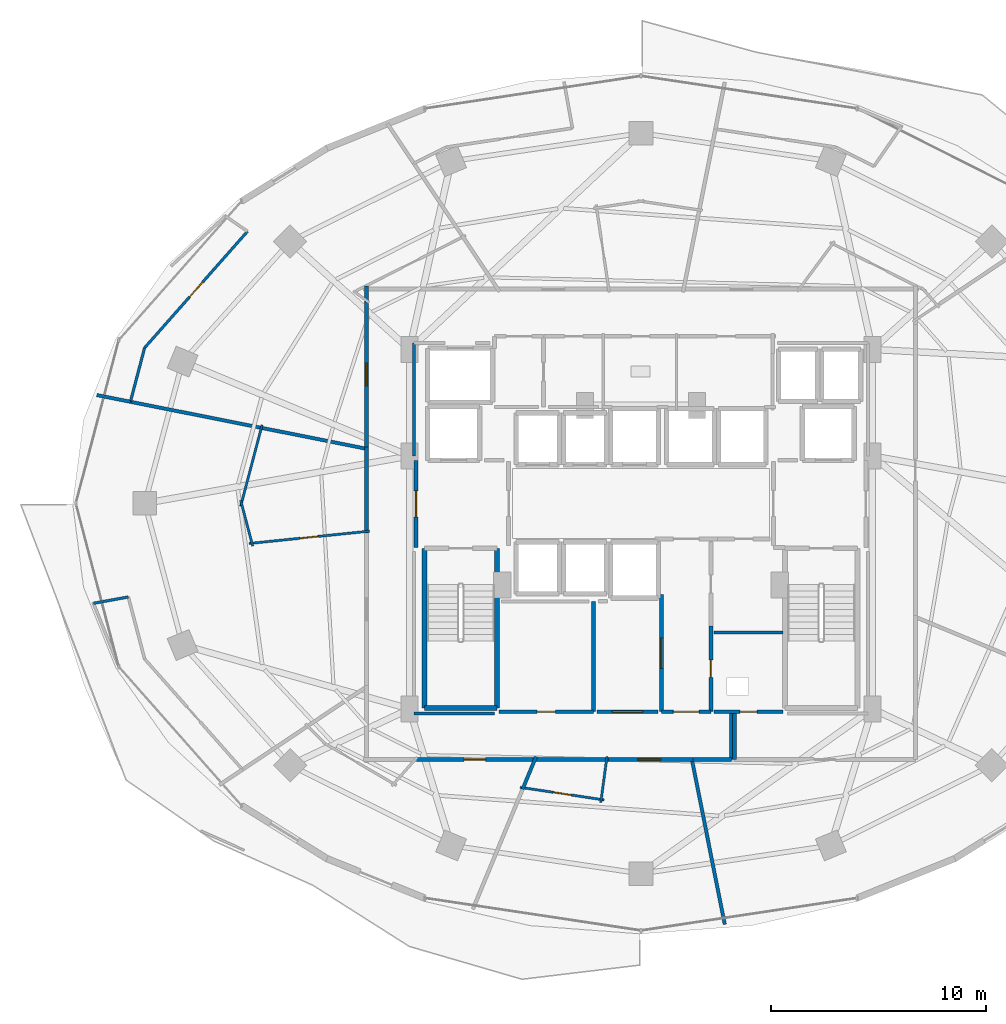
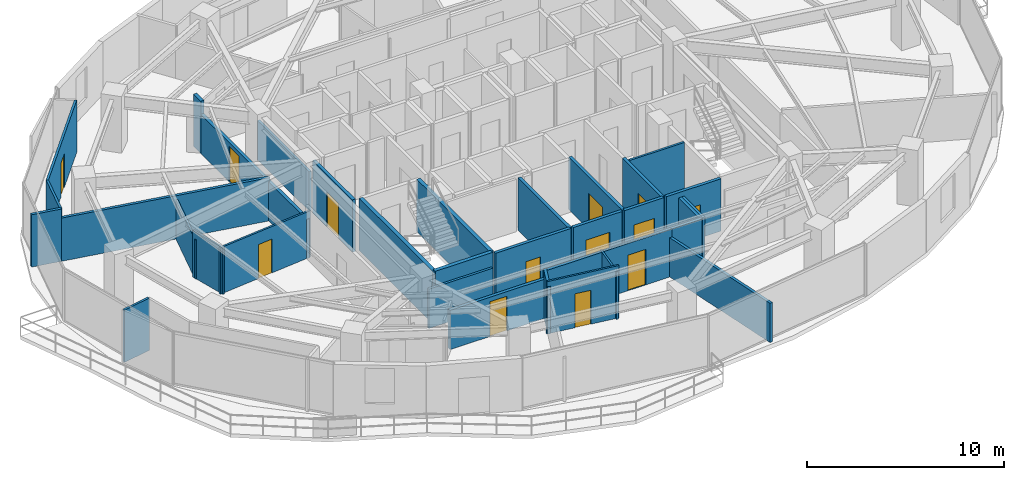
# One storey, part 22 of 29: 35 walls, 13 doors, 13 openings.
"""IFC4 building model written with IfcOpenShell, lengths in metres."""

from ifc_helpers import new_model, si_unit, direction, frame, frame_2d, origin, place, context, subcontext, project, spatial, rectangle, extrude, material, layer, layer_set, type_object, element, fill, save


model = new_model("IFC4")

# Units and contexts
model_context = context("Model", 3, precision=1e-05, world=origin(), true_north=direction((0.0, 1.0)))
body_context = subcontext(model_context, "Body", "Model", "MODEL_VIEW")
ifc_project = project(units=[si_unit("LENGTHUNIT", "METRE"), si_unit("AREAUNIT", "SQUARE_METRE"), si_unit("VOLUMEUNIT", "CUBIC_METRE"), si_unit("PLANEANGLEUNIT", "RADIAN"), si_unit("MASSUNIT", "GRAM", prefix="KILO")], contexts=[model_context])

# Site, building, storey
site_placement = place(None, origin())
site = spatial("IfcSite", under=ifc_project, at=site_placement, CompositionType="ELEMENT")
building_placement = place(site_placement, origin())
building = spatial("IfcBuilding", under=site, at=building_placement, Name="Vorneva Point Tower", CompositionType="ELEMENT")
storey_placement = place(building_placement, frame((0.0, 0.0, 82.300048828125)))
storey = spatial("IfcBuildingStorey", under=building, at=storey_placement, Name="L21", CompositionType="ELEMENT", Elevation=82.300048828125)

# Wall, opening, door
ifc_material_1 = material(Name="Fire-rated acoustic gypsum stud partition", Category="gypsum")
ifc_layer_1 = layer(ifc_material_1, 0.110107421875)
ifc_layer_set_1 = layer_set([ifc_layer_1], Name="Fire-rated acoustic gypsum stud partition")
wall_type_1 = type_object("IfcWallType", Name="WL-PART-110", PredefinedType="PARTITIONING", material=ifc_layer_set_1)
wall_1_placement = place(storey_placement, frame((25.389404296875, 24.708251953125, 0.0), z_axis=(0.0, 0.0, 1.0), x_axis=(-0.994782905304, -0.102014564227, 0.0)))
wall_1 = element("IfcWall", 1, at=wall_1_placement, inside=storey, type_object=wall_type_1, Name="L21 Interior Partition 076", PredefinedType="PARTITIONING", context=body_context, shape_type="SweptSolid", body=[
    extrude(rectangle(XDim=5.631103515625, YDim=0.110107421875, at=frame_2d((2.8154296875, 0.0))), origin(), (0.0, 0.0, 1.0), 2.8740234375),
])
opening_1_placement = place(wall_1_placement, frame((2.390380859375, 0.0, 0.0)))
opening_1 = element("IfcOpeningElement", 2, at=opening_1_placement, cuts=wall_1, Name="Opening ID-02", PredefinedType="OPENING", context=body_context, shape_type="SweptSolid", body=[
    extrude(rectangle(XDim=0.85009765625, YDim=2.10009765625, at=frame_2d((0.425048828125, 1.050048828125))), frame((0.0, 0.06982421875, 0.0), z_axis=(0.0, -1.0, 0.0), x_axis=(1.0, 0.0, 0.0)), (0.0, 0.0, 1.0), 0.139892578125),
])
ifc_material_2 = material(Name="Engineered oak fire-rated door leaf", Category="wood")
door_type_1 = type_object("IfcDoorType", Name="DR-BATH-850", OperationType="NOTDEFINED", PredefinedType="DOOR", material=ifc_material_2)
door_1_placement = place(opening_1_placement, origin())
door_1 = element("IfcDoor", 3, at=door_1_placement, inside=storey, type_object=door_type_1, Name="L21 Door Corner Suite L21-04 / En-Suite Bathroom L21-04", OperationType="SINGLE_SWING_LEFT", OverallHeight=2.10009765625, OverallWidth=0.85009765625, PredefinedType="DOOR", context=body_context, shape_type="SweptSolid", body=[
    extrude(rectangle(XDim=0.85009765625, YDim=2.10009765625, at=frame_2d((0.425048828125, 1.050048828125))), frame((0.0, 0.02490234375, 0.0), z_axis=(0.0, -1.0, 0.0), x_axis=(1.0, 0.0, 0.0)), (0.0, 0.0, 1.0), 0.050048828125),
])
fill(opening_1, door_1)

# Walls
wall_2_placement = place(storey_placement, frame((19.962646484375, 24.0126953125, 0.0), z_axis=(0.0, 0.0, 1.0), x_axis=(-0.254372850976, 0.967106226165, 0.0)))
element("IfcWall", 4, at=wall_2_placement, inside=storey, type_object=wall_type_1, Name="L21 Interior Partition 077", PredefinedType="PARTITIONING", context=body_context, shape_type="SweptSolid", body=[
    extrude(rectangle(XDim=2.195068359375, YDim=0.110107421875, at=frame_2d((1.09765625, 0.0))), origin(), (0.0, 0.0, 1.0), 2.8740234375),
])
wall_3_placement = place(storey_placement, frame((19.404296875, 25.864501953125, 0.0), z_axis=(0.0, 0.0, 1.0), x_axis=(0.254484072837, 0.967076965227, 0.0)))
element("IfcWall", 5, at=wall_3_placement, inside=storey, type_object=wall_type_1, Name="L21 Interior Partition 078", PredefinedType="PARTITIONING", context=body_context, shape_type="SweptSolid", body=[
    extrude(rectangle(XDim=3.907470703125, YDim=0.110107421875, at=frame_2d((1.95361328125, 0.0))), origin(), (0.0, 0.0, 1.0), 2.431884765625),
])
wall_4_placement = place(storey_placement, frame((36.420654296875, 14.23876953125, 0.0), z_axis=(0.0, 0.0, 1.0), x_axis=(-0.133358508544, -0.99106786256, 0.0)))
element("IfcWall", 6, at=wall_4_placement, inside=storey, type_object=wall_type_1, Name="L21 Interior Partition 090", PredefinedType="PARTITIONING", context=body_context, shape_type="SweptSolid", body=[
    extrude(rectangle(XDim=2.15478515625, YDim=0.110107421875, at=frame_2d((1.077392578125, 0.0))), origin(), (0.0, 0.0, 1.0), 2.921875),
])

# Wall, opening, door
wall_5_placement = place(storey_placement, frame((36.290283203125, 12.22119140625, 0.0), z_axis=(0.0, 0.0, 1.0), x_axis=(-0.988883185792, 0.148694468147, 0.0)))
wall_5 = element("IfcWall", 7, at=wall_5_placement, inside=storey, type_object=wall_type_1, Name="L21 Interior Partition 091", PredefinedType="PARTITIONING", context=body_context, shape_type="SweptSolid", body=[
    extrude(rectangle(XDim=3.945556640625, YDim=0.110107421875, at=frame_2d((1.97265625, 0.0))), origin(), (0.0, 0.0, 1.0), 3.239990234375),
])
opening_2_placement = place(wall_5_placement, frame((1.5478515625, 0.0, 0.0)))
opening_2 = element("IfcOpeningElement", 8, at=opening_2_placement, cuts=wall_5, Name="Opening ID-02", PredefinedType="OPENING", context=body_context, shape_type="SweptSolid", body=[
    extrude(rectangle(XDim=0.85009765625, YDim=2.10009765625, at=frame_2d((0.425048828125, 1.050048828125))), frame((0.0, 0.06982421875, 0.0), z_axis=(0.0, -1.0, 0.0), x_axis=(1.0, 0.0, 0.0)), (0.0, 0.0, 1.0), 0.139892578125),
])
door_2_placement = place(opening_2_placement, origin())
door_2 = element("IfcDoor", 9, at=door_2_placement, inside=storey, type_object=door_type_1, Name="L21 Door Executive Suite L21-06 / En-Suite Bathroom L21-06", OperationType="SINGLE_SWING_RIGHT", OverallHeight=2.10009765625, OverallWidth=0.85009765625, PredefinedType="DOOR", context=body_context, shape_type="SweptSolid", body=[
    extrude(rectangle(XDim=0.85009765625, YDim=2.10009765625, at=frame_2d((0.425048828125, 1.050048828125))), frame((0.0, 0.02490234375, 0.0), z_axis=(0.0, -1.0, 0.0), x_axis=(1.0, 0.0, 0.0)), (0.0, 0.0, 1.0), 0.050048828125),
])
fill(opening_2, door_2)

# Wall
ifc_layer_2 = layer(ifc_material_1, 0.125)
ifc_layer_set_2 = layer_set([ifc_layer_2], Name="Fire-rated acoustic gypsum stud partition")
wall_type_2 = type_object("IfcWallType", Name="WL-PART-125", PredefinedType="PARTITIONING", material=ifc_layer_set_2)
wall_6_placement = place(storey_placement, frame((44.60009765625, 20.0, 0.0), z_axis=(0.0, 0.0, 1.0), x_axis=(-1.0, 0.0, 0.0)))
element("IfcWall", 10, at=wall_6_placement, inside=storey, type_object=wall_type_2, Name="L21 Interior Partition 015", PredefinedType="PARTITIONING", context=body_context, shape_type="SweptSolid", body=[
    extrude(rectangle(XDim=3.2001953125, YDim=0.125, at=frame_2d((1.60009765625, 0.0))), origin(), (0.0, 0.0, 1.0), 3.239990234375),
])

# Wall, opening, door
wall_7_placement = place(storey_placement, frame((19.719970703125, 38.634033203125, 0.0), z_axis=(0.0, 0.0, 1.0), x_axis=(-0.662133761628, -0.74938566954, 0.0)))
wall_7 = element("IfcWall", 11, at=wall_7_placement, inside=storey, type_object=wall_type_2, Name="L21 Interior Partition 072", PredefinedType="PARTITIONING", context=body_context, shape_type="SweptSolid", body=[
    extrude(rectangle(XDim=7.21923828125, YDim=0.125, at=frame_2d((3.609619140625, 0.0))), origin(), (0.0, 0.0, 1.0), 3.239990234375),
])
opening_3_placement = place(wall_7_placement, frame((3.15966796875, 0.0, 0.0)))
opening_3 = element("IfcOpeningElement", 12, at=opening_3_placement, cuts=wall_7, Name="Opening ID-01", PredefinedType="OPENING", context=body_context, shape_type="SweptSolid", body=[
    extrude(rectangle(XDim=0.89990234375, YDim=2.10009765625, at=frame_2d((0.449951171875, 1.050048828125))), frame((0.0, 0.077392578125, 0.0), z_axis=(0.0, -1.0, 0.0), x_axis=(1.0, 0.0, 0.0)), (0.0, 0.0, 1.0), 0.15478515625),
])
door_type_2 = type_object("IfcDoorType", Name="DR-ROOM-900", OperationType="NOTDEFINED", PredefinedType="DOOR", material=ifc_material_2)
door_3_placement = place(opening_3_placement, origin())
door_3 = element("IfcDoor", 13, at=door_3_placement, inside=storey, type_object=door_type_2, Name="L21 Door Executive Suite L21-03 / Suite Sitting Study L21-03", OperationType="SINGLE_SWING_RIGHT", OverallHeight=2.10009765625, OverallWidth=0.89990234375, PredefinedType="DOOR", context=body_context, shape_type="SweptSolid", body=[
    extrude(rectangle(XDim=0.89990234375, YDim=2.10009765625, at=frame_2d((0.449951171875, 1.050048828125))), frame((0.0, 0.02490234375, 0.0), z_axis=(0.0, -1.0, 0.0), x_axis=(1.0, 0.0, 0.0)), (0.0, 0.0, 1.0), 0.050048828125),
])
fill(opening_3, door_3)

# Walls
wall_8_placement = place(storey_placement, frame((14.93994140625, 33.22412109375, 0.0), z_axis=(0.0, 0.0, 1.0), x_axis=(-0.254289240103, -0.967128214027, 0.0)))
element("IfcWall", 14, at=wall_8_placement, inside=storey, type_object=wall_type_2, Name="L21 Interior Partition 073", PredefinedType="PARTITIONING", context=body_context, shape_type="SweptSolid", body=[
    extrude(rectangle(XDim=2.59130859375, YDim=0.125, at=frame_2d((1.295654296875, 0.0))), origin(), (0.0, 0.0, 1.0), 3.239990234375),
])
wall_9_placement = place(storey_placement, frame((12.56689453125, 21.35498046875, 0.0), z_axis=(0.0, 0.0, 1.0), x_axis=(0.983774720513, 0.179408191784, 0.0)))
element("IfcWall", 15, at=wall_9_placement, inside=storey, type_object=wall_type_2, Name="L21 Interior Partition 080", PredefinedType="PARTITIONING", context=body_context, shape_type="SweptSolid", body=[
    extrude(rectangle(XDim=1.643798828125, YDim=0.125, at=frame_2d((0.82177734375, 0.0))), origin(), (0.0, 0.0, 1.0), 3.239990234375),
])
ifc_layer_3 = layer(ifc_material_1, 0.139892578125)
ifc_layer_set_3 = layer_set([ifc_layer_3], Name="Fire-rated acoustic gypsum stud partition")
wall_type_3 = type_object("IfcWallType", Name="WL-PART-140", PredefinedType="PARTITIONING", material=ifc_layer_set_3)
wall_10_placement = place(storey_placement, frame((31.195068359375, 16.239990234375, 0.0), z_axis=(0.0, 0.0, 1.0), x_axis=(-1.0, 0.0, 0.0)))
element("IfcWall", 16, at=wall_10_placement, inside=storey, type_object=wall_type_3, Name="L21 Interior Closure Partition 108", PredefinedType="PARTITIONING", context=body_context, shape_type="SweptSolid", body=[
    extrude(rectangle(XDim=3.7451171875, YDim=0.139892578125, at=frame_2d((1.87255859375, 0.0))), origin(), (0.0, 0.0, 1.0), 2.431884765625),
])
wall_11_placement = place(storey_placement, frame((27.449951171875, 28.196044921875, 0.0), z_axis=(0.0, 0.0, 1.0), x_axis=(0.0, 1.0, 0.0)))
element("IfcWall", 17, at=wall_11_placement, inside=storey, type_object=wall_type_3, Name="L21 Interior Closure Partition 110", PredefinedType="PARTITIONING", context=body_context, shape_type="SweptSolid", body=[
    extrude(rectangle(XDim=5.25390625, YDim=0.139892578125, at=frame_2d((2.626953125, 0.0))), origin(), (0.0, 0.0, 1.0), 2.431884765625),
])
ifc_layer_4 = layer(ifc_material_1, 0.159912109375)
ifc_layer_set_4 = layer_set([ifc_layer_4], Name="Fire-rated acoustic gypsum stud partition")
wall_type_4 = type_object("IfcWallType", Name="WL-PART-160", PredefinedType="PARTITIONING", material=ifc_layer_set_4)
wall_12_placement = place(storey_placement, frame((14.281005859375, 30.718017578125, 0.0), z_axis=(0.0, 0.0, 1.0), x_axis=(0.980780826537, -0.19511271178, 0.0)))
element("IfcWall", 18, at=wall_12_placement, inside=storey, type_object=wall_type_4, Name="L21 Interior Partition 074", PredefinedType="PARTITIONING", context=body_context, shape_type="SweptSolid", body=[
    extrude(rectangle(XDim=11.183837890625, YDim=0.159912109375, at=frame_2d((5.591796875, 0.0))), origin(), (0.0, 0.0, 1.0), 2.677001953125),
])
wall_13_placement = place(storey_placement, frame((12.719970703125, 31.029052734375, 0.0), z_axis=(0.0, 0.0, 1.0), x_axis=(0.98072200318, -0.195408168916, 0.0)))
element("IfcWall", 19, at=wall_13_placement, inside=storey, type_object=wall_type_4, Name="L21 Interior Partition 075", PredefinedType="PARTITIONING", context=body_context, shape_type="SweptSolid", body=[
    extrude(rectangle(XDim=1.591796875, YDim=0.159912109375, at=frame_2d((0.7958984375, 0.0))), origin(), (0.0, 0.0, 1.0), 3.239990234375),
])
wall_14_placement = place(storey_placement, frame((32.496826171875, 12.71484375, 0.0), z_axis=(0.0, 0.0, 1.0), x_axis=(0.382891039503, 0.923793511489, 0.0)))
element("IfcWall", 20, at=wall_14_placement, inside=storey, type_object=wall_type_4, Name="L21 Interior Partition 089", PredefinedType="PARTITIONING", context=body_context, shape_type="SweptSolid", body=[
    extrude(rectangle(XDim=1.639404296875, YDim=0.159912109375, at=frame_2d((0.81982421875, 0.0))), origin(), (0.0, 0.0, 1.0), 2.921875),
])
wall_15_placement = place(storey_placement, frame((41.89111328125, 6.44091796875, 0.0), z_axis=(0.0, 0.0, 1.0), x_axis=(-0.195172155482, 0.980768999166, 0.0)))
element("IfcWall", 21, at=wall_15_placement, inside=storey, type_object=wall_type_4, Name="L21 Interior Partition 092", PredefinedType="PARTITIONING", context=body_context, shape_type="SweptSolid", body=[
    extrude(rectangle(XDim=7.809326171875, YDim=0.159912109375, at=frame_2d((3.90478515625, 0.0))), origin(), (0.0, 0.0, 1.0), 2.431884765625),
])

# Wall, opening, door
ifc_material_3 = material(Name="Autoclaved aerated concrete blockwork", Category="masonry")
ifc_layer_5 = layer(ifc_material_3, 0.179931640625)
ifc_layer_set_5 = layer_set([ifc_layer_5], Name="Autoclaved aerated concrete blockwork")
wall_type_5 = type_object("IfcWallType", Name="WL-PART-180", PredefinedType="PARTITIONING", material=ifc_layer_set_5)
wall_16_placement = place(storey_placement, frame((27.550048828125, 28.0, 0.0), z_axis=(0.0, 0.0, 1.0), x_axis=(0.0, -1.0, 0.0)))
wall_16 = element("IfcWall", 22, at=wall_16_placement, inside=storey, type_object=wall_type_5, Name="L21 Interior Partition 002", PredefinedType="PARTITIONING", context=body_context, shape_type="SweptSolid", body=[
    extrude(rectangle(XDim=4.050048828125, YDim=0.179931640625, at=frame_2d((2.02490234375, 0.0))), origin(), (0.0, 0.0, 1.0), 3.239990234375),
])
opening_4_placement = place(wall_16_placement, frame((1.425048828125, 0.0, 0.0)))
opening_4 = element("IfcOpeningElement", 23, at=opening_4_placement, cuts=wall_16, Name="Opening FD-02", PredefinedType="OPENING", context=body_context, shape_type="SweptSolid", body=[
    extrude(rectangle(XDim=1.199951171875, YDim=2.14990234375, at=frame_2d((0.60009765625, 1.074951171875))), frame((0.0, 0.10498046875, 0.0), z_axis=(0.0, -1.0, 0.0), x_axis=(1.0, 0.0, 0.0)), (0.0, 0.0, 1.0), 0.209716796875),
])
ifc_material_4 = material(Name="Fire-rated powder-coated steel", Category="steel")
door_type_3 = type_object("IfcDoorType", Name="DR-FFL-1200", OperationType="NOTDEFINED", PredefinedType="DOOR", material=ifc_material_4)
door_4_placement = place(opening_4_placement, origin())
door_4 = element("IfcDoor", 24, at=door_4_placement, inside=storey, type_object=door_type_3, Name="L21 Door West Firefighting Lobby / L21 Circulation Corridor", OperationType="SINGLE_SWING_RIGHT", OverallHeight=2.14990234375, OverallWidth=1.199951171875, PredefinedType="DOOR", context=body_context, shape_type="SweptSolid", body=[
    extrude(rectangle(XDim=1.199951171875, YDim=2.14990234375, at=frame_2d((0.60009765625, 1.074951171875))), frame((0.0, 0.02490234375, 0.0), z_axis=(0.0, -1.0, 0.0), x_axis=(1.0, 0.0, 0.0)), (0.0, 0.0, 1.0), 0.050048828125),
])
fill(opening_4, door_4)

wall_17_placement = place(storey_placement, frame((41.25, 16.320068359375, 0.0), z_axis=(0.0, 0.0, 1.0), x_axis=(0.0, 1.0, 0.0)))
wall_17 = element("IfcWall", 25, at=wall_17_placement, inside=storey, type_object=wall_type_5, Name="L21 Interior Partition 011", PredefinedType="PARTITIONING", context=body_context, shape_type="SweptSolid", body=[
    extrude(rectangle(XDim=3.98486328125, YDim=0.179931640625, at=frame_2d((1.992431640625, 0.0))), origin(), (0.0, 0.0, 1.0), 3.239990234375),
])
opening_5_placement = place(wall_17_placement, frame((1.592529296875, 0.0, 0.0)))
opening_5 = element("IfcOpeningElement", 26, at=opening_5_placement, cuts=wall_17, Name="Opening RD-01", PredefinedType="OPENING", context=body_context, shape_type="SweptSolid", body=[
    extrude(rectangle(XDim=0.800048828125, YDim=2.050048828125, at=frame_2d((0.39990234375, 1.02490234375))), frame((0.0, 0.10498046875, 0.0), z_axis=(0.0, -1.0, 0.0), x_axis=(1.0, 0.0, 0.0)), (0.0, 0.0, 1.0), 0.209716796875),
])
door_type_4 = type_object("IfcDoorType", Name="DR-RSR-800", OperationType="SINGLE_SWING_LEFT", PredefinedType="DOOR", material=ifc_material_4)
door_5_placement = place(opening_5_placement, origin())
door_5 = element("IfcDoor", 27, at=door_5_placement, inside=storey, type_object=door_type_4, Name="L21 Door Core Service Lobby / Electrical Riser", OperationType="SINGLE_SWING_LEFT", OverallHeight=2.050048828125, OverallWidth=0.800048828125, PredefinedType="DOOR", context=body_context, shape_type="SweptSolid", body=[
    extrude(rectangle(XDim=0.800048828125, YDim=2.050048828125, at=frame_2d((0.39990234375, 1.02490234375))), frame((0.0, 0.02490234375, 0.0), z_axis=(0.0, -1.0, 0.0), x_axis=(1.0, 0.0, 0.0)), (0.0, 0.0, 1.0), 0.050048828125),
])
fill(opening_5, door_5)

wall_18_placement = place(storey_placement, frame((38.949951171875, 21.7548828125, 0.0), z_axis=(0.0, 0.0, 1.0), x_axis=(0.0, -1.0, 0.0)))
wall_18 = element("IfcWall", 28, at=wall_18_placement, inside=storey, type_object=wall_type_5, Name="L21 Interior Partition 013", PredefinedType="PARTITIONING", context=body_context, shape_type="SweptSolid", body=[
    extrude(rectangle(XDim=5.434814453125, YDim=0.179931640625, at=frame_2d((2.71728515625, 0.0))), origin(), (0.0, 0.0, 1.0), 3.239990234375),
])
opening_6_placement = place(wall_18_placement, frame((2.017578125, 0.0, 0.0)))
opening_6 = element("IfcOpeningElement", 29, at=opening_6_placement, cuts=wall_18, Name="Opening FD-03", PredefinedType="OPENING", context=body_context, shape_type="SweptSolid", body=[
    extrude(rectangle(XDim=1.39990234375, YDim=2.199951171875, at=frame_2d((0.699951171875, 1.10009765625))), frame((0.0, 0.10498046875, 0.0), z_axis=(0.0, -1.0, 0.0), x_axis=(1.0, 0.0, 0.0)), (0.0, 0.0, 1.0), 0.209716796875),
])
door_type_5 = type_object("IfcDoorType", Name="DR-PLT-1400", OperationType="DOUBLE_SWING_LEFT", PredefinedType="DOOR", material=ifc_material_4)
door_6_placement = place(opening_6_placement, origin())
door_6 = element("IfcDoor", 30, at=door_6_placement, inside=storey, type_object=door_type_5, Name="L21 Door Core Service Lobby / Telecoms and Data Room", OperationType="DOUBLE_SWING_LEFT", OverallHeight=2.199951171875, OverallWidth=1.39990234375, PredefinedType="DOOR", context=body_context, shape_type="SweptSolid", body=[
    extrude(rectangle(XDim=1.39990234375, YDim=2.199951171875, at=frame_2d((0.699951171875, 1.10009765625))), frame((0.0, 0.02490234375, 0.0), z_axis=(0.0, -1.0, 0.0), x_axis=(1.0, 0.0, 0.0)), (0.0, 0.0, 1.0), 0.050048828125),
])
fill(opening_6, door_6)

wall_19_placement = place(storey_placement, frame((38.949951171875, 16.320068359375, 0.0), z_axis=(0.0, 0.0, 1.0), x_axis=(1.0, 0.0, 0.0)))
wall_19 = element("IfcWall", 31, at=wall_19_placement, inside=storey, type_object=wall_type_5, Name="L21 Interior Partition 014", PredefinedType="PARTITIONING", context=body_context, shape_type="SweptSolid", body=[
    extrude(rectangle(XDim=2.300048828125, YDim=0.179931640625, at=frame_2d((1.14990234375, 0.0))), origin(), (0.0, 0.0, 1.0), 3.239990234375),
])
opening_7_placement = place(wall_19_placement, frame((0.550048828125, 0.0, 0.0)))
opening_7 = element("IfcOpeningElement", 32, at=opening_7_placement, cuts=wall_19, Name="Opening FD-02", PredefinedType="OPENING", context=body_context, shape_type="SweptSolid", body=[
    extrude(rectangle(XDim=1.199951171875, YDim=2.14990234375, at=frame_2d((0.60009765625, 1.074951171875))), frame((0.0, 0.10498046875, 0.0), z_axis=(0.0, -1.0, 0.0), x_axis=(1.0, 0.0, 0.0)), (0.0, 0.0, 1.0), 0.209716796875),
])
door_7_placement = place(opening_7_placement, origin())
door_7 = element("IfcDoor", 33, at=door_7_placement, inside=storey, type_object=door_type_3, Name="L21 Door Core Service Lobby / L21 Circulation Corridor", OperationType="SINGLE_SWING_RIGHT", OverallHeight=2.14990234375, OverallWidth=1.199951171875, PredefinedType="DOOR", context=body_context, shape_type="SweptSolid", body=[
    extrude(rectangle(XDim=1.199951171875, YDim=2.14990234375, at=frame_2d((0.60009765625, 1.074951171875))), frame((0.0, 0.02490234375, 0.0), z_axis=(0.0, -1.0, 0.0), x_axis=(1.0, 0.0, 0.0)), (0.0, 0.0, 1.0), 0.050048828125),
])
fill(opening_7, door_7)

wall_20_placement = place(storey_placement, frame((41.39990234375, 16.320068359375, 0.0), z_axis=(0.0, 0.0, 1.0), x_axis=(1.0, 0.0, 0.0)))
wall_20 = element("IfcWall", 34, at=wall_20_placement, inside=storey, type_object=wall_type_5, Name="L21 Interior Partition 016", PredefinedType="PARTITIONING", context=body_context, shape_type="SweptSolid", body=[
    extrude(rectangle(XDim=3.2001953125, YDim=0.179931640625, at=frame_2d((1.60009765625, 0.0))), origin(), (0.0, 0.0, 1.0), 3.239990234375),
])
opening_8_placement = place(wall_20_placement, frame((1.199951171875, 0.0, 0.0)))
opening_8 = element("IfcOpeningElement", 35, at=opening_8_placement, cuts=wall_20, Name="Opening RD-01", PredefinedType="OPENING", context=body_context, shape_type="SweptSolid", body=[
    extrude(rectangle(XDim=0.800048828125, YDim=2.050048828125, at=frame_2d((0.39990234375, 1.02490234375))), frame((0.0, 0.10498046875, 0.0), z_axis=(0.0, -1.0, 0.0), x_axis=(1.0, 0.0, 0.0)), (0.0, 0.0, 1.0), 0.209716796875),
])
door_8_placement = place(opening_8_placement, origin())
door_8 = element("IfcDoor", 36, at=door_8_placement, inside=storey, type_object=door_type_4, Name="L21 Door Electrical Riser / L21 Circulation Corridor", OperationType="SINGLE_SWING_LEFT", OverallHeight=2.050048828125, OverallWidth=0.800048828125, PredefinedType="DOOR", context=body_context, shape_type="SweptSolid", body=[
    extrude(rectangle(XDim=0.800048828125, YDim=2.050048828125, at=frame_2d((0.39990234375, 1.02490234375))), frame((0.0, 0.02490234375, 0.0), z_axis=(0.0, -1.0, 0.0), x_axis=(1.0, 0.0, 0.0)), (0.0, 0.0, 1.0), 0.050048828125),
])
fill(opening_8, door_8)

# Wall
wall_21_placement = place(storey_placement, frame((35.800048828125, 16.320068359375, 0.0), z_axis=(0.0, 0.0, 1.0), x_axis=(0.0, 1.0, 0.0)))
element("IfcWall", 37, at=wall_21_placement, inside=storey, type_object=wall_type_5, Name="L21 Interior Partition 023", PredefinedType="PARTITIONING", context=body_context, shape_type="SweptSolid", body=[
    extrude(rectangle(XDim=5.1298828125, YDim=0.179931640625, at=frame_2d((2.56494140625, 0.0))), origin(), (0.0, 0.0, 1.0), 3.239990234375),
])

# Wall, opening, door
wall_22_placement = place(storey_placement, frame((31.39990234375, 16.320068359375, 0.0), z_axis=(0.0, 0.0, 1.0), x_axis=(1.0, 0.0, 0.0)))
wall_22 = element("IfcWall", 38, at=wall_22_placement, inside=storey, type_object=wall_type_5, Name="L21 Interior Partition 024", PredefinedType="PARTITIONING", context=body_context, shape_type="SweptSolid", body=[
    extrude(rectangle(XDim=4.400146484375, YDim=0.179931640625, at=frame_2d((2.2001953125, 0.0))), origin(), (0.0, 0.0, 1.0), 3.239990234375),
])
opening_9_placement = place(wall_22_placement, frame((1.77490234375, 0.0, 0.0)))
opening_9 = element("IfcOpeningElement", 39, at=opening_9_placement, cuts=wall_22, Name="Opening ID-02", PredefinedType="OPENING", context=body_context, shape_type="SweptSolid", body=[
    extrude(rectangle(XDim=0.85009765625, YDim=2.10009765625, at=frame_2d((0.425048828125, 1.050048828125))), frame((0.0, 0.10498046875, 0.0), z_axis=(0.0, -1.0, 0.0), x_axis=(1.0, 0.0, 0.0)), (0.0, 0.0, 1.0), 0.209716796875),
])
door_9_placement = place(opening_9_placement, origin())
door_9 = element("IfcDoor", 40, at=door_9_placement, inside=storey, type_object=door_type_1, Name="L21 Door Housekeeping Store / L21 Circulation Corridor", OperationType="SINGLE_SWING_LEFT", OverallHeight=2.10009765625, OverallWidth=0.85009765625, PredefinedType="DOOR", context=body_context, shape_type="SweptSolid", body=[
    extrude(rectangle(XDim=0.85009765625, YDim=2.10009765625, at=frame_2d((0.425048828125, 1.050048828125))), frame((0.0, 0.02490234375, 0.0), z_axis=(0.0, -1.0, 0.0), x_axis=(1.0, 0.0, 0.0)), (0.0, 0.0, 1.0), 0.050048828125),
])
fill(opening_9, door_9)

wall_23_placement = place(storey_placement, frame((35.949951171875, 16.320068359375, 0.0), z_axis=(0.0, 0.0, 1.0), x_axis=(1.0, 0.0, 0.0)))
wall_23 = element("IfcWall", 41, at=wall_23_placement, inside=storey, type_object=wall_type_5, Name="L21 Interior Partition 025", PredefinedType="PARTITIONING", context=body_context, shape_type="SweptSolid", body=[
    extrude(rectangle(XDim=2.85009765625, YDim=0.179931640625, at=frame_2d((1.425048828125, 0.0))), origin(), (0.0, 0.0, 1.0), 3.239990234375),
])
opening_10_placement = place(wall_23_placement, frame((0.72509765625, 0.0, 0.0)))
opening_10 = element("IfcOpeningElement", 42, at=opening_10_placement, cuts=wall_23, Name="Opening FD-03", PredefinedType="OPENING", context=body_context, shape_type="SweptSolid", body=[
    extrude(rectangle(XDim=1.39990234375, YDim=2.199951171875, at=frame_2d((0.699951171875, 1.10009765625))), frame((0.0, 0.10498046875, 0.0), z_axis=(0.0, -1.0, 0.0), x_axis=(1.0, 0.0, 0.0)), (0.0, 0.0, 1.0), 0.209716796875),
])
door_10_placement = place(opening_10_placement, origin())
door_10 = element("IfcDoor", 43, at=door_10_placement, inside=storey, type_object=door_type_5, Name="L21 Door Telecoms and Data Room / L21 Circulation Corridor", OperationType="DOUBLE_SWING_LEFT", OverallHeight=2.199951171875, OverallWidth=1.39990234375, PredefinedType="DOOR", context=body_context, shape_type="SweptSolid", body=[
    extrude(rectangle(XDim=1.39990234375, YDim=2.199951171875, at=frame_2d((0.699951171875, 1.10009765625))), frame((0.0, 0.02490234375, 0.0), z_axis=(0.0, -1.0, 0.0), x_axis=(1.0, 0.0, 0.0)), (0.0, 0.0, 1.0), 0.050048828125),
])
fill(opening_10, door_10)

wall_24_placement = place(storey_placement, frame((25.25, 35.491943359375, 0.0), z_axis=(0.0, 0.0, 1.0), x_axis=(0.0, -1.0, 0.0)))
wall_24 = element("IfcWall", 44, at=wall_24_placement, inside=storey, type_object=wall_type_5, Name="L21 Interior Partition 031", PredefinedType="PARTITIONING", context=body_context, shape_type="SweptSolid", body=[
    extrude(rectangle(XDim=7.015869140625, YDim=0.179931640625, at=frame_2d((3.5078125, 0.0))), origin(), (0.0, 0.0, 1.0), 2.431884765625),
])
opening_11_placement = place(wall_24_placement, frame((2.98291015625, 0.0, 0.0)))
opening_11 = element("IfcOpeningElement", 45, at=opening_11_placement, cuts=wall_24, Name="Opening UD-02", PredefinedType="OPENING", context=body_context, shape_type="SweptSolid", body=[
    extrude(rectangle(XDim=1.050048828125, YDim=2.199951171875, at=frame_2d((0.52490234375, 1.10009765625))), frame((0.0, 0.10498046875, 0.0), z_axis=(0.0, -1.0, 0.0), x_axis=(1.0, 0.0, 0.0)), (0.0, 0.0, 1.0), 0.209716796875),
])
door_type_6 = type_object("IfcDoorType", Name="DR-SUITE-1050", OperationType="NOTDEFINED", PredefinedType="DOOR", material=ifc_material_2)
door_11_placement = place(opening_11_placement, origin())
door_11 = element("IfcDoor", 46, at=door_11_placement, inside=storey, type_object=door_type_6, Name="L21 Door L21 Circulation Corridor / Executive Suite L21-03", OperationType="SINGLE_SWING_LEFT", OverallHeight=2.199951171875, OverallWidth=1.050048828125, PredefinedType="DOOR", context=body_context, shape_type="SweptSolid", body=[
    extrude(rectangle(XDim=1.050048828125, YDim=2.199951171875, at=frame_2d((0.52490234375, 1.10009765625))), frame((0.0, 0.02490234375, 0.0), z_axis=(0.0, -1.0, 0.0), x_axis=(1.0, 0.0, 0.0)), (0.0, 0.0, 1.0), 0.050048828125),
])
fill(opening_11, door_11)

# Walls
wall_25_placement = place(storey_placement, frame((25.25, 36.090087890625, 0.0), z_axis=(0.0, 0.0, 1.0), x_axis=(0.0, -1.0, 0.0)))
element("IfcWall", 47, at=wall_25_placement, inside=storey, type_object=wall_type_5, Name="L21 Interior Partition 033", PredefinedType="PARTITIONING", context=body_context, shape_type="SweptSolid", body=[
    extrude(rectangle(XDim=0.738037109375, YDim=0.179931640625, at=frame_2d((0.369140625, 0.0))), origin(), (0.0, 0.0, 1.0), 3.239990234375),
])
wall_26_placement = place(storey_placement, frame((25.25, 28.615966796875, 0.0), z_axis=(0.0, 0.0, 1.0), x_axis=(0.0, -1.0, 0.0)))
element("IfcWall", 48, at=wall_26_placement, inside=storey, type_object=wall_type_5, Name="L21 Interior Partition 035", PredefinedType="PARTITIONING", context=body_context, shape_type="SweptSolid", body=[
    extrude(rectangle(XDim=4.001953125, YDim=0.179931640625, at=frame_2d((2.0009765625, 0.0))), origin(), (0.0, 0.0, 1.0), 2.431884765625),
])

# Wall, opening, door
wall_27_placement = place(storey_placement, frame((27.428955078125, 14.10009765625, 0.0), z_axis=(0.0, 0.0, 1.0), x_axis=(1.0, 0.0, 0.0)))
wall_27 = element("IfcWall", 49, at=wall_27_placement, inside=storey, type_object=wall_type_5, Name="L21 Interior Partition 036", PredefinedType="PARTITIONING", context=body_context, shape_type="SweptSolid", body=[
    extrude(rectangle(XDim=5.7021484375, YDim=0.179931640625, at=frame_2d((2.85107421875, 0.0))), origin(), (0.0, 0.0, 1.0), 2.431884765625),
])
opening_12_placement = place(wall_27_placement, frame((2.35107421875, 0.0, 0.0)))
opening_12 = element("IfcOpeningElement", 50, at=opening_12_placement, cuts=wall_27, Name="Opening UD-01", PredefinedType="OPENING", context=body_context, shape_type="SweptSolid", body=[
    extrude(rectangle(XDim=1.0, YDim=2.14990234375, at=frame_2d((0.5, 1.074951171875))), frame((0.0, 0.10498046875, 0.0), z_axis=(0.0, -1.0, 0.0), x_axis=(1.0, 0.0, 0.0)), (0.0, 0.0, 1.0), 0.209716796875),
])
door_type_7 = type_object("IfcDoorType", Name="DR-UNIT-1000", OperationType="NOTDEFINED", PredefinedType="DOOR", material=ifc_material_2)
door_12_placement = place(opening_12_placement, origin())
door_12 = element("IfcDoor", 51, at=door_12_placement, inside=storey, type_object=door_type_7, Name="L21 Door L21 Circulation Corridor / Deluxe Guest Room L21-05", OperationType="SINGLE_SWING_LEFT", OverallHeight=2.14990234375, OverallWidth=1.0, PredefinedType="DOOR", context=body_context, shape_type="SweptSolid", body=[
    extrude(rectangle(XDim=1.0, YDim=2.14990234375, at=frame_2d((0.5, 1.074951171875))), frame((0.0, 0.02490234375, 0.0), z_axis=(0.0, -1.0, 0.0), x_axis=(1.0, 0.0, 0.0)), (0.0, 0.0, 1.0), 0.050048828125),
])
fill(opening_12, door_12)

wall_28_placement = place(storey_placement, frame((36.341064453125, 14.10009765625, 0.0), z_axis=(0.0, 0.0, 1.0), x_axis=(1.0, 0.0, 0.0)))
wall_28 = element("IfcWall", 52, at=wall_28_placement, inside=storey, type_object=wall_type_5, Name="L21 Interior Partition 039", PredefinedType="PARTITIONING", context=body_context, shape_type="SweptSolid", body=[
    extrude(rectangle(XDim=4.0869140625, YDim=0.179931640625, at=frame_2d((2.04345703125, 0.0))), origin(), (0.0, 0.0, 1.0), 2.921875),
])
opening_13_placement = place(wall_28_placement, frame((1.5185546875, 0.0, 0.0)))
opening_13 = element("IfcOpeningElement", 53, at=opening_13_placement, cuts=wall_28, Name="Opening UD-02", PredefinedType="OPENING", context=body_context, shape_type="SweptSolid", body=[
    extrude(rectangle(XDim=1.050048828125, YDim=2.199951171875, at=frame_2d((0.52490234375, 1.10009765625))), frame((0.0, 0.10498046875, 0.0), z_axis=(0.0, -1.0, 0.0), x_axis=(1.0, 0.0, 0.0)), (0.0, 0.0, 1.0), 0.209716796875),
])
door_13_placement = place(opening_13_placement, origin())
door_13 = element("IfcDoor", 54, at=door_13_placement, inside=storey, type_object=door_type_6, Name="L21 Door L21 Circulation Corridor / Executive Suite L21-06", OperationType="SINGLE_SWING_RIGHT", OverallHeight=2.199951171875, OverallWidth=1.050048828125, PredefinedType="DOOR", context=body_context, shape_type="SweptSolid", body=[
    extrude(rectangle(XDim=1.050048828125, YDim=2.199951171875, at=frame_2d((0.52490234375, 1.10009765625))), frame((0.0, 0.02490234375, 0.0), z_axis=(0.0, -1.0, 0.0), x_axis=(1.0, 0.0, 0.0)), (0.0, 0.0, 1.0), 0.050048828125),
])
fill(opening_13, door_13)

# Walls
wall_29_placement = place(storey_placement, frame((32.990966796875, 14.10009765625, 0.0), z_axis=(0.0, 0.0, 1.0), x_axis=(1.0, 0.0, 0.0)))
element("IfcWall", 55, at=wall_29_placement, inside=storey, type_object=wall_type_5, Name="L21 Interior Partition 040", PredefinedType="PARTITIONING", context=body_context, shape_type="SweptSolid", body=[
    extrude(rectangle(XDim=3.489990234375, YDim=0.179931640625, at=frame_2d((1.7451171875, 0.0))), origin(), (0.0, 0.0, 1.0), 2.921875),
])
wall_30_placement = place(storey_placement, frame((42.340087890625, 16.239990234375, 0.0), z_axis=(0.0, 0.0, 1.0), x_axis=(0.0, -1.0, 0.0)))
element("IfcWall", 56, at=wall_30_placement, inside=storey, type_object=wall_type_5, Name="L21 Interior Partition 041", PredefinedType="PARTITIONING", context=body_context, shape_type="SweptSolid", body=[
    extrude(rectangle(XDim=2.139892578125, YDim=0.179931640625, at=frame_2d((1.06982421875, 0.0))), origin(), (0.0, 0.0, 1.0), 2.921875),
])
wall_31_placement = place(storey_placement, frame((40.427978515625, 14.10009765625, 0.0), z_axis=(0.0, 0.0, 1.0), x_axis=(1.0, 0.0, 0.0)))
element("IfcWall", 57, at=wall_31_placement, inside=storey, type_object=wall_type_5, Name="L21 Interior Partition 044", PredefinedType="PARTITIONING", context=body_context, shape_type="SweptSolid", body=[
    extrude(rectangle(XDim=1.77197265625, YDim=0.179931640625, at=frame_2d((0.885986328125, 0.0))), origin(), (0.0, 0.0, 1.0), 2.921875),
])
wall_32_placement = place(storey_placement, frame((42.199951171875, 14.10009765625, 0.0), z_axis=(0.0, 0.0, 1.0), x_axis=(0.0, 1.0, 0.0)))
element("IfcWall", 58, at=wall_32_placement, inside=storey, type_object=wall_type_5, Name="L21 Interior Partition 045", PredefinedType="PARTITIONING", context=body_context, shape_type="SweptSolid", body=[
    extrude(rectangle(XDim=2.139892578125, YDim=0.179931640625, at=frame_2d((1.06982421875, 0.0))), origin(), (0.0, 0.0, 1.0), 2.921875),
])
ifc_material_5 = material(Name="Concrete B50 (C40/50)", Category="concrete")
ifc_layer_6 = layer(ifc_material_5, 0.219970703125)
ifc_layer_set_6 = layer_set([ifc_layer_6], Name="Concrete B50 (C40/50)")
wall_type_6 = type_object("IfcWallType", Name="WL-SHFT-220", PredefinedType="SOLIDWALL", material=ifc_layer_set_6)
wall_33_placement = place(storey_placement, frame((31.31005859375, 23.909912109375, 0.0), z_axis=(0.0, 0.0, 1.0), x_axis=(0.0, -1.0, 0.0)))
element("IfcWall", 59, at=wall_33_placement, inside=storey, type_object=wall_type_6, Name="L21 Exit Stair ST1 Shaft Wall right", PredefinedType="SOLIDWALL", context=body_context, shape_type="SweptSolid", body=[
    extrude(rectangle(XDim=7.419921875, YDim=0.219970703125, at=frame_2d((3.7099609375, 0.0))), origin(), (0.0, 0.0, 1.0), 3.239990234375),
])
wall_34_placement = place(storey_placement, frame((31.31005859375, 16.489990234375, 0.0), z_axis=(0.0, 0.0, 1.0), x_axis=(-1.0, 0.0, 0.0)))
element("IfcWall", 60, at=wall_34_placement, inside=storey, type_object=wall_type_6, Name="L21 Exit Stair ST1 Shaft Wall far", PredefinedType="SOLIDWALL", context=body_context, shape_type="SweptSolid", body=[
    extrude(rectangle(XDim=3.3701171875, YDim=0.219970703125, at=frame_2d((1.68505859375, 0.0))), origin(), (0.0, 0.0, 1.0), 3.239990234375),
])
wall_35_placement = place(storey_placement, frame((27.93994140625, 16.489990234375, 0.0), z_axis=(0.0, 0.0, 1.0), x_axis=(0.0, 1.0, 0.0)))
element("IfcWall", 61, at=wall_35_placement, inside=storey, type_object=wall_type_6, Name="L21 Exit Stair ST1 Shaft Wall left", PredefinedType="SOLIDWALL", context=body_context, shape_type="SweptSolid", body=[
    extrude(rectangle(XDim=7.419921875, YDim=0.219970703125, at=frame_2d((3.7099609375, 0.0))), origin(), (0.0, 0.0, 1.0), 3.239990234375),
])

save(model, "model.ifc")
